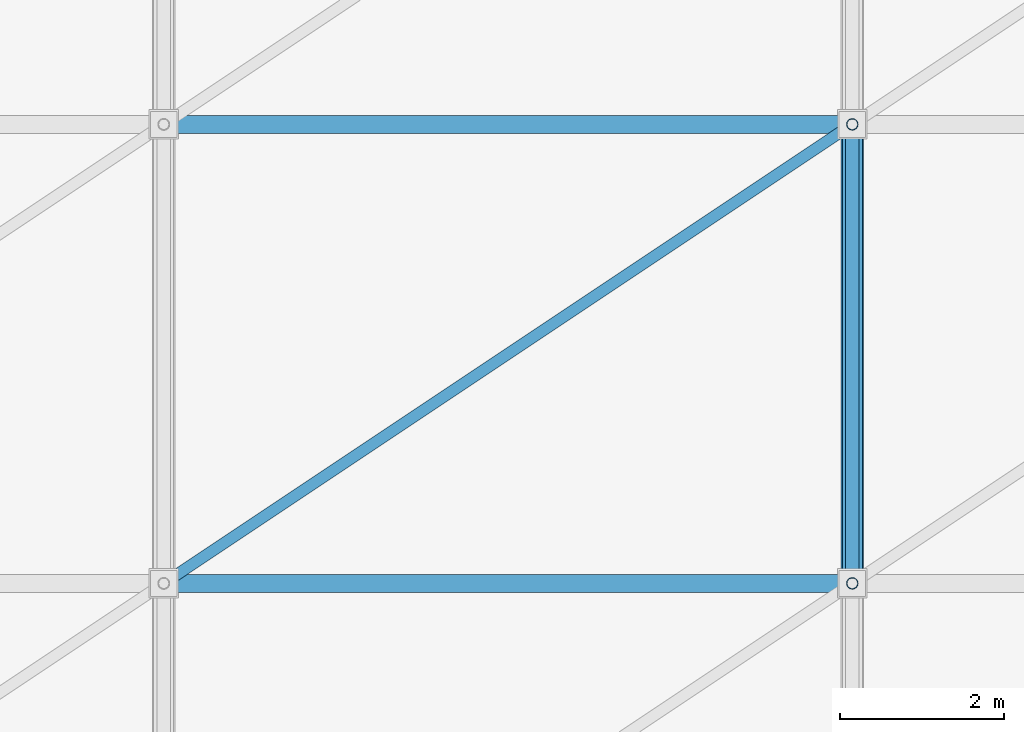
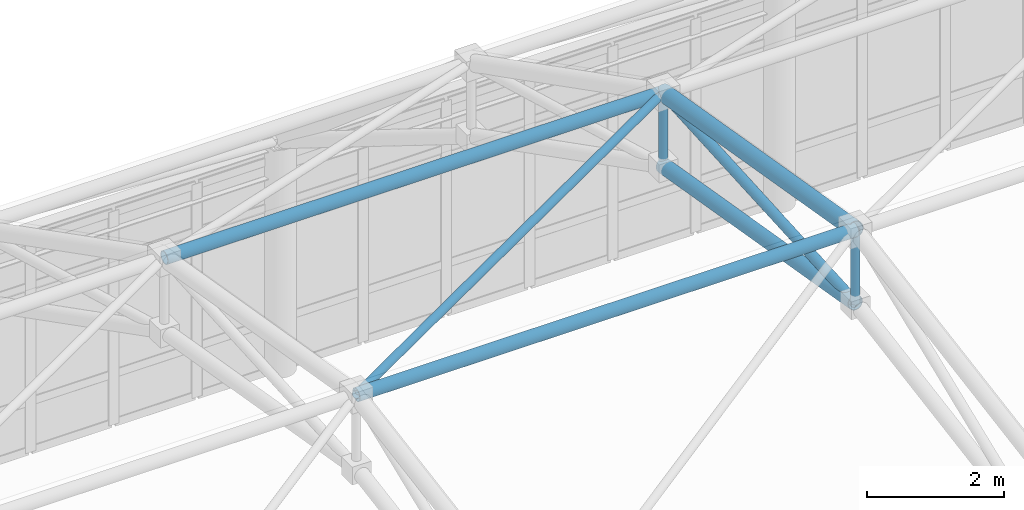
# One storey, part 77 of 184: 8 members.
"""IFC4 building model written with IfcOpenShell, lengths in metres."""

from ifc_helpers import new_model, si_unit, direction, frame, origin, origin_2d, place, context, subcontext, project, spatial, hollow_circle, extrude, material, material_profile, profile_set, type_object, element, save


model = new_model("IFC4")

# Units and contexts
model_context = context("Model", 3, precision=1e-05, world=origin(), true_north=direction((0.0, 1.0)))
body_context = subcontext(model_context, "Body", "Model", "MODEL_VIEW")
ifc_project = project(units=[si_unit("LENGTHUNIT", "METRE"), si_unit("AREAUNIT", "SQUARE_METRE"), si_unit("VOLUMEUNIT", "CUBIC_METRE"), si_unit("PLANEANGLEUNIT", "RADIAN"), si_unit("MASSUNIT", "GRAM", prefix="KILO")], contexts=[model_context])

# Site, building, storey
site_placement = place(None, origin())
site = spatial("IfcSite", under=ifc_project, at=site_placement, CompositionType="ELEMENT")
building_placement = place(site_placement, origin())
building = spatial("IfcBuilding", under=site, at=building_placement, Name="Qalvenar Corner Mobility Hub", CompositionType="ELEMENT")
storey_placement = place(building_placement, frame((0.0, 0.0, 9.0)))
storey = spatial("IfcBuildingStorey", under=building, at=storey_placement, Name="L02", CompositionType="ELEMENT", Elevation=9.0)

# Members
ifc_material = material(Name="Steel S355", Category="steel")
ifc_material_profile_1 = material_profile(ifc_material, hollow_circle(Radius=0.109619140625, WallThickness=0.008056640625, at=origin_2d()), Name="CHS219.1x8")
ifc_profile_set_1 = profile_set([ifc_material_profile_1], Name="Steel S355")
member_type_1 = type_object("IfcMemberType", Name="SF-CHD219", PredefinedType="CHORD", material=ifc_profile_set_1)
for number, where, z_axis, x_axis, name in (
    (1, (84.0, 16.800048828125, 12.659912109375), (1.0, 0.0, 0.0), (0.0, 1.0, 0.0), "Space Frame Longitudinal Chord SFL-0215"),
    (2, (84.0, 22.39990234375, 11.704345703125), (1.0, 0.0, 0.0), (0.0, 1.0, 0.0), "Space Frame Longitudinal Chord SFL-0216"),
):
    element("IfcMember", number, at=place(storey_placement, frame(where, z_axis=z_axis, x_axis=x_axis)), inside=storey, type_object=member_type_1, Name=name, PredefinedType="CHORD", context=body_context, shape_type="SweptSolid", body=[
        extrude(hollow_circle(Radius=0.109619140625, WallThickness=0.008056640625, at=origin_2d()), origin(), (0.0, 0.0, 1.0), 8.39990234375),
    ])
ifc_material_profile_2 = material_profile(ifc_material, hollow_circle(Radius=0.122314453125, WallThickness=0.0087890625, at=origin_2d()), Name="CHS244.5x8.8")
ifc_profile_set_2 = profile_set([ifc_material_profile_2], Name="Steel S355")
member_type_2 = type_object("IfcMemberType", Name="SF-CHD244", PredefinedType="CHORD", material=ifc_profile_set_2)
member_1_placement = place(storey_placement, frame((92.39990234375, 16.800048828125, 11.360107421875), z_axis=(0.0, 0.985744075738, -0.168251648276), x_axis=(-1.0, 0.0, 0.0)))
element("IfcMember", 3, at=member_1_placement, inside=storey, type_object=member_type_2, Name="Space Frame Bottom Chord SFBC-0115", PredefinedType="CHORD", context=body_context, shape_type="SweptSolid", body=[
    extrude(hollow_circle(Radius=0.122314453125, WallThickness=0.0087890625, at=origin_2d()), origin(), (0.0, 0.0, 1.0), 5.680908203125),
])
ifc_material_profile_3 = material_profile(ifc_material, hollow_circle(Radius=0.136474609375, WallThickness=0.010009765625, at=origin_2d()), Name="CHS273x10")
ifc_profile_set_3 = profile_set([ifc_material_profile_3], Name="Steel S355")
member_type_3 = type_object("IfcMemberType", Name="SF-CHD273", PredefinedType="CHORD", material=ifc_profile_set_3)
member_2_placement = place(storey_placement, frame((92.39990234375, 16.800048828125, 12.659912109375), z_axis=(0.0, 0.985751202632, -0.168209888264), x_axis=(-1.0, 0.0, 0.0)))
element("IfcMember", 4, at=member_2_placement, inside=storey, type_object=member_type_3, Name="Space Frame Top Chord SFTC-0114", PredefinedType="CHORD", context=body_context, shape_type="SweptSolid", body=[
    extrude(hollow_circle(Radius=0.136474609375, WallThickness=0.010009765625, at=origin_2d()), origin(), (0.0, 0.0, 1.0), 5.680908203125),
])
ifc_material_profile_4 = material_profile(ifc_material, hollow_circle(Radius=0.06982421875, WallThickness=0.0048828125, at=origin_2d()), Name="CHS139.7x5")
ifc_profile_set_4 = profile_set([ifc_material_profile_4], Name="Steel S355")
member_type_4 = type_object("IfcMemberType", Name="SF-STR139", PredefinedType="STRUT", material=ifc_profile_set_4)
member_3_placement = place(storey_placement, frame((92.39990234375, 16.800048828125, 11.360107421875), z_axis=(0.0, 0.0, 1.0), x_axis=(1.0, 0.0, 0.0)))
element("IfcMember", 5, at=member_3_placement, inside=storey, type_object=member_type_4, Name="Space Frame King Strut SFV-0124", PredefinedType="STRUT", context=body_context, shape_type="SweptSolid", body=[
    extrude(hollow_circle(Radius=0.06982421875, WallThickness=0.0048828125, at=origin_2d()), origin(), (0.0, 0.0, 1.0), 1.2998046875),
])
member_4_placement = place(storey_placement, frame((92.39990234375, 22.39990234375, 10.404296875), z_axis=(0.0, 0.0, 1.0), x_axis=(1.0, 0.0, 0.0)))
element("IfcMember", 6, at=member_4_placement, inside=storey, type_object=member_type_4, Name="Space Frame King Strut SFV-0125", PredefinedType="STRUT", context=body_context, shape_type="SweptSolid", body=[
    extrude(hollow_circle(Radius=0.06982421875, WallThickness=0.0048828125, at=origin_2d()), origin(), (0.0, 0.0, 1.0), 1.300048828125),
])
member_5_placement = place(storey_placement, frame((84.0, 16.800048828125, 12.659912109375), z_axis=(0.828351545185, 0.552226338194, -0.094232632327), x_axis=(-0.554694615428, 0.832054014842, 0.0)))
element("IfcMember", 7, at=member_5_placement, inside=storey, type_object=member_type_4, Name="Space Frame Plan Strut SFP-0221", PredefinedType="STRUT", context=body_context, shape_type="SweptSolid", body=[
    extrude(hollow_circle(Radius=0.06982421875, WallThickness=0.0048828125, at=origin_2d()), origin(), (0.0, 0.0, 1.0), 10.140625),
])
ifc_material_profile_5 = material_profile(ifc_material, hollow_circle(Radius=0.084228515625, WallThickness=0.00634765625, at=origin_2d()), Name="CHS168.3x6.3")
ifc_profile_set_5 = profile_set([ifc_material_profile_5], Name="Steel S355")
member_type_5 = type_object("IfcMemberType", Name="SF-STR168", PredefinedType="STRUT", material=ifc_profile_set_5)
member_6_placement = place(storey_placement, frame((92.39990234375, 16.800048828125, 11.360107421875), z_axis=(0.0, 0.998115889969, 0.061356908264), x_axis=(-1.0, 0.0, 0.0)))
element("IfcMember", 8, at=member_6_placement, inside=storey, type_object=member_type_5, Name="Space Frame Web Strut SFD-0116", PredefinedType="STRUT", context=body_context, shape_type="SweptSolid", body=[
    extrude(hollow_circle(Radius=0.084228515625, WallThickness=0.00634765625, at=origin_2d()), origin(), (0.0, 0.0, 1.0), 5.6103515625),
])

save(model, "model.ifc")
